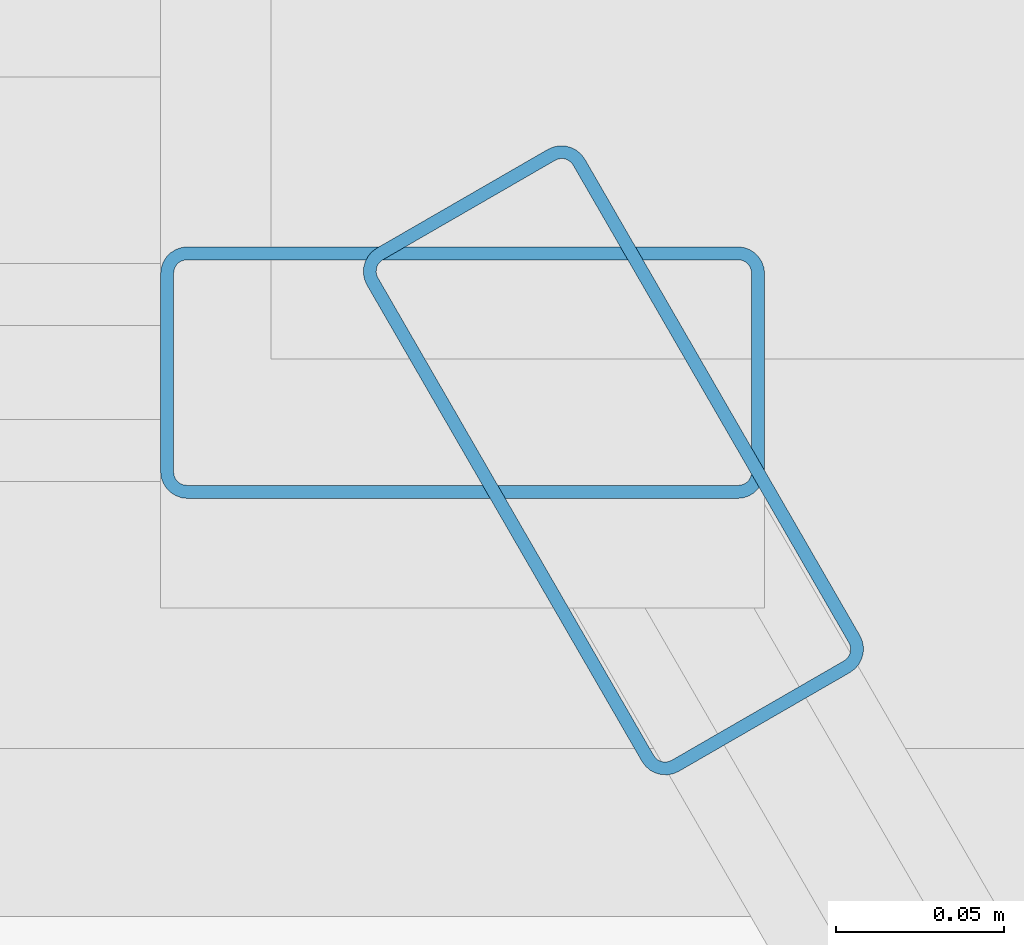
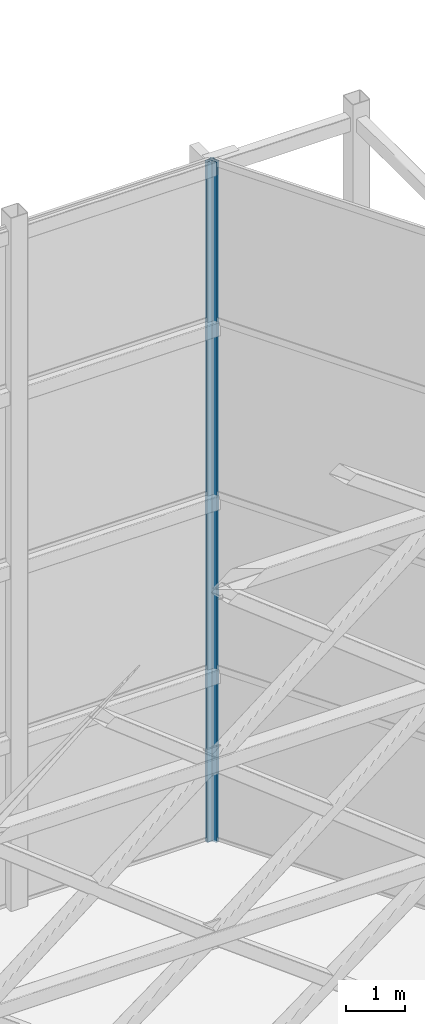
# One storey, part 9 of 24: 2 members, 2 elements without a shape of their own.
"""IFC4 building model written with IfcOpenShell, lengths in metres."""

import ifcopenshell
import ifcopenshell.guid

model = None  # the IFC model being written
_history = None  # IfcOwnerHistory: only IFC2X3 demands one
_inside = {}  # id of a spatial element -> (the spatial element, [elements in it])
_under = {}  # id of a project, library or spatial element -> (it, [spatial elements below it])
_declared = {}  # id of a project -> (the project, [libraries it declares])
_typed = {}  # id of a type object -> (the type object, [elements of that type])
_made_of = {}  # id of a material, layer set ... -> (it, [elements and type objects made of it])


def new_model(schema):
    """Start an empty IFC model of exactly this schema.

    Asked for "IFC4X3", IfcOpenShell would pick the latest addendum, in which some entities
    have other attributes; the version numbers below select the first issue.
    IFC2X3 requires an IfcOwnerHistory on every rooted entity: one is made here for all.
    """
    global model, _history
    if schema == "IFC4X3":
        model = ifcopenshell.file(schema_version=(4, 3, 0, 0))
    else:
        model = ifcopenshell.file(schema=schema)
    _inside.clear()
    _under.clear()
    _declared.clear()
    _typed.clear()
    _made_of.clear()
    _history = None
    if model.schema == "IFC2X3":
        org = make("IfcOrganization", Name="unknown")
        user = make(
            "IfcPersonAndOrganization",
            ThePerson=make("IfcPerson", FamilyName="unknown"),
            TheOrganization=org,
        )
        app = make(
            "IfcApplication",
            ApplicationDeveloper=org,
            Version="unknown",
            ApplicationFullName="unknown",
            ApplicationIdentifier="unknown",
        )
        _history = make(
            "IfcOwnerHistory",
            OwningUser=user,
            OwningApplication=app,
            ChangeAction="ADDED",
            CreationDate=0,
        )
    return model


def make(cls, **values):
    """One entity of the class cls with the attributes given. An attribute that is None is left unset."""
    return model.create_entity(
        cls, **{name: value for name, value in values.items() if value is not None}
    )


def rooted(cls, **values):
    """An entity with a GlobalId (a new one), such as an element, a storey or a relation."""
    return make(cls, GlobalId=ifcopenshell.guid.new(), OwnerHistory=_history, **values)


def si_unit(unit_type, name, prefix=None):
    """IfcSIUnit, for example si_unit("LENGTHUNIT", "METRE", prefix="MILLI")."""
    return make("IfcSIUnit", UnitType=unit_type, Prefix=prefix, Name=name)


def assignment(units):
    """IfcUnitAssignment: the units of a project."""
    return None if units is None else make("IfcUnitAssignment", Units=units)


def point(xyz):
    """IfcCartesianPoint."""
    return None if xyz is None else make("IfcCartesianPoint", Coordinates=xyz)


def direction(xyz):
    """IfcDirection."""
    return None if xyz is None else make("IfcDirection", DirectionRatios=xyz)


def frame(location, z_axis=None, x_axis=None):
    """IfcAxis2Placement3D, a coordinate frame: its origin and axes. An axis left out is left unset."""
    return make(
        "IfcAxis2Placement3D",
        Location=point(location),
        Axis=direction(z_axis),
        RefDirection=direction(x_axis),
    )


def frame_2d(location, x_axis=None):
    """IfcAxis2Placement2D, a coordinate frame in the plane: its origin and x axis."""
    return make(
        "IfcAxis2Placement2D", Location=point(location), RefDirection=direction(x_axis)
    )


def origin():
    """The frame at (0, 0, 0) with its axes left unset."""
    return frame((0.0, 0.0, 0.0))


def origin_2d():
    """The frame at (0, 0) in the plane with its x axis left unset."""
    return frame_2d((0.0, 0.0))


def place(relative_to, where):
    """IfcLocalPlacement: puts the frame where relative to a parent placement (None: the world)."""
    return make(
        "IfcLocalPlacement", PlacementRelTo=relative_to, RelativePlacement=where
    )


def context(
    kind, dimensions, precision=None, world=None, true_north=None, identifier=None
):
    """IfcGeometricRepresentationContext, for example the 3D "Model" context."""
    return make(
        "IfcGeometricRepresentationContext",
        ContextIdentifier=identifier,
        ContextType=kind,
        CoordinateSpaceDimension=dimensions,
        Precision=precision,
        WorldCoordinateSystem=world,
        TrueNorth=true_north,
    )


def subcontext(parent, identifier, kind, view, scale=None):
    """IfcGeometricRepresentationSubContext, for example "Body" below "Model"."""
    return make(
        "IfcGeometricRepresentationSubContext",
        ContextIdentifier=identifier,
        ContextType=kind,
        ParentContext=parent,
        TargetScale=scale,
        TargetView=view,
    )


def project(units=None, contexts=None):
    """IfcProject with its units and contexts."""
    return rooted(
        "IfcProject",
        Name="project",
        RepresentationContexts=contexts,
        UnitsInContext=assignment(units),
    )


def spatial(cls, under=None, at=None, **own):
    """A site, building, storey or space (cls), placed at a placement, below another one or the project."""
    s = rooted(cls, ObjectPlacement=at, **own)
    if under is not None:
        _under.setdefault(under.id(), (under, []))[1].append(s)
    return s


def profile(cls, at=None, kind="AREA", **sizes):
    """A parametric profile (cls). Its sizes go by their IFC names, for example OverallWidth=200.0."""
    return make(cls, ProfileType=kind, Position=at, **sizes)


def hollow_rectangle(**sizes):
    """IfcRectangleHollowProfileDef."""
    return profile("IfcRectangleHollowProfileDef", **sizes)


def extrude(swept, where, along, depth):
    """IfcExtrudedAreaSolid: the profile swept, set in the frame where, extruded along a direction by depth."""
    return make(
        "IfcExtrudedAreaSolid",
        SweptArea=swept,
        Position=where,
        ExtrudedDirection=direction(along),
        Depth=depth,
    )


def shape(context_of_items, identifier, shape_type, items):
    """IfcShapeRepresentation: the items that make up one representation, for example the "Body"."""
    return make(
        "IfcShapeRepresentation",
        ContextOfItems=context_of_items,
        RepresentationIdentifier=identifier,
        RepresentationType=shape_type,
        Items=items,
    )


def material(Name=None, Category=None):
    """IfcMaterial."""
    return make("IfcMaterial", Name=Name, Category=Category)


def layer(
    of_material, thickness, ventilated=None, Name=None, Category=None, Priority=None
):
    """IfcMaterialLayer: one layer of a wall or slab, of a material (None: an air gap)."""
    return make(
        "IfcMaterialLayer",
        Material=of_material,
        LayerThickness=thickness,
        IsVentilated=ventilated,
        Name=Name,
        Category=Category,
        Priority=Priority,
    )


def layer_set(layers, Name=None):
    """IfcMaterialLayerSet."""
    return make("IfcMaterialLayerSet", MaterialLayers=layers, LayerSetName=Name)


def material_profile(
    of_material, cross_section, Name=None, Category=None, Priority=None
):
    """IfcMaterialProfile: a cross section and its material."""
    return make(
        "IfcMaterialProfile",
        Name=Name,
        Material=of_material,
        Profile=cross_section,
        Priority=Priority,
        Category=Category,
    )


def profile_set(profiles, Name=None, composite=None):
    """IfcMaterialProfileSet."""
    return make(
        "IfcMaterialProfileSet",
        Name=Name,
        MaterialProfiles=profiles,
        CompositeProfile=composite,
    )


def made_of(thing, what):
    """Note that an element or type object is made of a material, layer set ...; save() writes the relation."""
    if what is not None:
        _made_of.setdefault(what.id(), (what, []))[1].append(thing)
    return thing


def type_object(cls, material=None, **own):
    """A type object (cls), such as IfcWallType, which elements share."""
    return made_of(rooted(cls, **own), material)


def element(
    cls,
    number,
    at=None,
    inside=None,
    cuts=None,
    type_object=None,
    material=None,
    context=None,
    identifier="Body",
    shape_type=None,
    held_by="IfcProductDefinitionShape",
    body=None,
    shapes=None,
    **own,
):
    """One element of the class cls, such as IfcWall. Its Tag is "e" and its number.

    at: its placement. inside: the storey or other place that contains it. cuts: it is an
    opening in that element (IfcRelVoidsElement). A single representation is given by context,
    identifier, shape_type and body (its items); several are given by shapes. held_by: the class
    of the entity that holds the representations. save() writes the other relations.
    """
    e = rooted(cls, Tag="e%d" % number, ObjectPlacement=at, **own)
    if body is not None:
        shapes = [shape(context, identifier, shape_type, body)]
    if shapes is not None:
        e.Representation = make(held_by, Representations=shapes)
    if inside is not None:
        _inside.setdefault(inside.id(), (inside, []))[1].append(e)
    if cuts is not None:
        rooted(
            "IfcRelVoidsElement", RelatingBuildingElement=cuts, RelatedOpeningElement=e
        )
    if type_object is not None:
        _typed.setdefault(type_object.id(), (type_object, []))[1].append(e)
    return made_of(e, material)


def aggregate(whole, parts):
    """IfcRelAggregates: a whole, such as a stair, and the parts it consists of."""
    return rooted("IfcRelAggregates", RelatingObject=whole, RelatedObjects=parts)


def save(model, path):
    """Write the relations noted so far, then the file.

    IfcRelAggregates (storeys below a building ...), IfcRelContainedInSpatialStructure (elements
    in a storey), IfcRelDefinesByType, IfcRelAssociatesMaterial and IfcRelDeclares: one each for
    every whole, place, type object, material and project.
    """
    for whole, parts in _under.values():
        aggregate(whole, parts)
    for where, things in _inside.values():
        rooted(
            "IfcRelContainedInSpatialStructure",
            RelatedElements=things,
            RelatingStructure=where,
        )
    for kind, things in _typed.values():
        rooted("IfcRelDefinesByType", RelatedObjects=things, RelatingType=kind)
    for what, things in _made_of.values():
        rooted("IfcRelAssociatesMaterial", RelatedObjects=things, RelatingMaterial=what)
    for by, libraries in _declared.values():
        rooted("IfcRelDeclares", RelatingContext=by, RelatedDefinitions=libraries)
    model.write(path)


model = new_model("IFC4")

# Units and contexts
model_context = context("Model", 3, precision=1e-05, world=origin(), true_north=direction((0.0, 1.0)))
body_context = subcontext(model_context, "Body", "Model", "MODEL_VIEW")
ifc_project = project(units=[si_unit("LENGTHUNIT", "METRE"), si_unit("AREAUNIT", "SQUARE_METRE"), si_unit("VOLUMEUNIT", "CUBIC_METRE"), si_unit("PLANEANGLEUNIT", "RADIAN"), si_unit("MASSUNIT", "GRAM", prefix="KILO")], contexts=[model_context])

# Site, building, storey
site_placement = place(None, origin())
site = spatial("IfcSite", under=ifc_project, at=site_placement, CompositionType="ELEMENT")
building_placement = place(site_placement, origin())
building = spatial("IfcBuilding", under=site, at=building_placement, Name="Solvaryn Broadcast Tower", CompositionType="ELEMENT")
storey_placement = place(building_placement, frame((0.0, 0.0, 307.800048828125)))
storey = spatial("IfcBuildingStorey", under=building, at=storey_placement, Name="Roof Main", CompositionType="ELEMENT", Elevation=307.800048828125)

# Curtain wall, member
ifc_material_1 = material(Name="Aluminium and Terracotta Unitised Curtain Wall", Category="masonry")
ifc_layer = layer(ifc_material_1, 0.2099609375)
ifc_layer_set = layer_set([ifc_layer], Name="CW-SYS6-CROWN")
curtain_wall_type = type_object("IfcCurtainWallType", Name="CW-SYS6-CROWN", PredefinedType="NOTDEFINED", material=ifc_layer_set)
curtain_wall_1_placement = place(storey_placement, origin())
curtain_wall_1 = element("IfcCurtainWall", 1, at=curtain_wall_1_placement, inside=storey, type_object=curtain_wall_type, Name="Roof Main Split-Top Crown Curtain Wall E1", PredefinedType="NOTDEFINED")
ifc_material_2 = material(Name="Anodised Aluminium 6063-T6", Category="aluminium")
ifc_material_profile = material_profile(ifc_material_2, hollow_rectangle(XDim=0.074951171875, YDim=0.179931640625, WallThickness=0.00390625, InnerFilletRadius=0.00390625, OuterFilletRadius=0.008056640625, at=origin_2d()))
ifc_profile_set = profile_set([ifc_material_profile], Name="Anodised Aluminium 6063-T6")
member_type = type_object("IfcMemberType", Name="CW-MUL-180", PredefinedType="MULLION", material=ifc_profile_set)
member_1_placement = place(storey_placement, frame((39.989990234375, 24.5859375, 0.0), z_axis=(0.0, 0.0, 1.0), x_axis=(-0.866035181372, -0.499983064339, 0.0)))
member_1 = element("IfcMember", 2, at=member_1_placement, type_object=member_type, Name="CWS6 mullion 2", PredefinedType="MULLION", context=body_context, shape_type="SweptSolid", body=[
    extrude(hollow_rectangle(XDim=0.074951171875, YDim=0.179931640625, WallThickness=0.00390625, InnerFilletRadius=0.00390625, OuterFilletRadius=0.008056640625, at=origin_2d()), origin(), (0.0, 0.0, 1.0), 14.099853515625),
])
aggregate(curtain_wall_1, [member_1])

curtain_wall_2_placement = place(storey_placement, origin())
curtain_wall_2 = element("IfcCurtainWall", 3, at=curtain_wall_2_placement, inside=storey, type_object=curtain_wall_type, Name="Roof Main Split-Top Crown Curtain Wall E2", PredefinedType="NOTDEFINED")
member_2_placement = place(storey_placement, frame((39.945068359375, 24.612060546875, 0.0), z_axis=(0.0, 0.0, 1.0), x_axis=(0.0, -1.0, 0.0)))
member_2 = element("IfcMember", 4, at=member_2_placement, type_object=member_type, Name="CWS6 mullion 1", PredefinedType="MULLION", context=body_context, shape_type="SweptSolid", body=[
    extrude(hollow_rectangle(XDim=0.074951171875, YDim=0.179931640625, WallThickness=0.00390625, InnerFilletRadius=0.00390625, OuterFilletRadius=0.008056640625, at=origin_2d()), origin(), (0.0, 0.0, 1.0), 14.099853515625),
])
aggregate(curtain_wall_2, [member_2])

save(model, "model.ifc")
